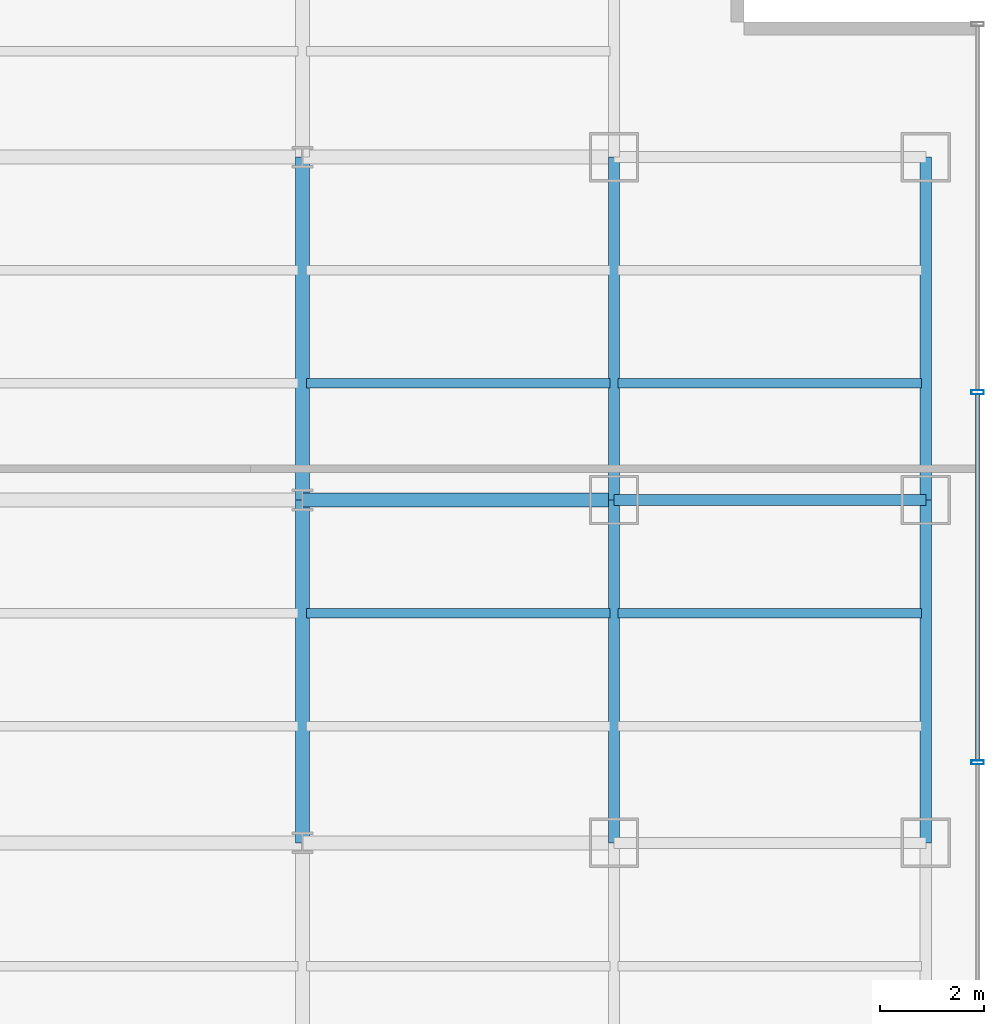
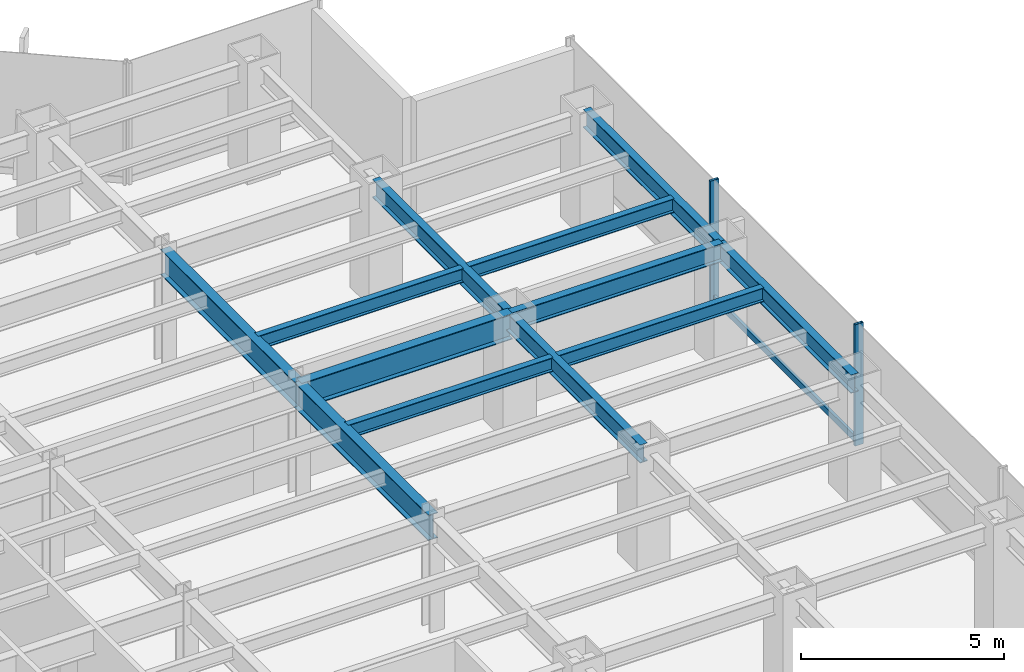
# One storey, part 9 of 23: 12 beams, 3 members, 1 element without a shape of its own.
"""IFC4 building model written with IfcOpenShell, lengths in metres."""

from ifc_helpers import new_model, si_unit, derived_unit, direction, frame, origin, origin_2d, place, context, subcontext, project, spatial, hollow_rectangle, i_section, extrude, source, transform, mapped, material, material_profile, profile_set, type_object, element, aggregate, save


model = new_model("IFC4")

# Units and contexts
model_context = context("Model", 3, precision=1e-05, world=origin(), true_north=direction((0.0, 1.0)))
body_context = subcontext(model_context, "Body", "Model", "MODEL_VIEW")
ifc_project = project(units=[si_unit("LENGTHUNIT", "METRE"), si_unit("AREAUNIT", "SQUARE_METRE"), si_unit("VOLUMEUNIT", "CUBIC_METRE"), si_unit("PLANEANGLEUNIT", "RADIAN"), si_unit("MASSUNIT", "GRAM", prefix="KILO"), derived_unit("THERMALTRANSMITTANCEUNIT", [(si_unit("POWERUNIT", "WATT"), 1), (si_unit("LENGTHUNIT", "METRE"), -2), (si_unit("THERMODYNAMICTEMPERATUREUNIT", "KELVIN"), -1)])], contexts=[model_context])

# Site, building, storey
site_placement = place(None, origin())
site = spatial("IfcSite", under=ifc_project, at=site_placement, CompositionType="ELEMENT")
building_placement = place(site_placement, origin())
building = spatial("IfcBuilding", under=site, at=building_placement, Name="Skarnbrae Concourse Arena and Tower", CompositionType="ELEMENT")
storey_placement = place(building_placement, frame((0.0, 0.0, 54.39990234375)))
storey = spatial("IfcBuildingStorey", under=building, at=storey_placement, Name="L12", CompositionType="ELEMENT", Elevation=54.39990234375)

# Beams
ifc_material_1 = material(Name="Steel CSA G40.21 350W", Category="steel")
ifc_material_profile_1 = material_profile(ifc_material_1, i_section(OverallWidth=0.214111328125, OverallDepth=0.549072265625, WebThickness=0.0146484375, FlangeThickness=0.023681640625, at=origin_2d()), Name="W530X138")
ifc_profile_set_1 = profile_set([ifc_material_profile_1], Name="Steel CSA G40.21 350W")
beam_type_1 = type_object("IfcBeamType", Name="BM-SPAN-W530X138", PredefinedType="SPANDREL", material=ifc_profile_set_1)
shared_shape_1 = source(origin(), body_context, "Body", "SweptSolid", [
    extrude(i_section(OverallWidth=0.214111328125, OverallDepth=0.549072265625, WebThickness=0.0146484375, FlangeThickness=0.023681640625, at=origin_2d()), origin(), (0.0, 0.0, 1.0), 6.0),
])
beam_1_placement = place(storey_placement, frame((55.0, 27.800048828125, 3.12548828125), z_axis=(1.0, 0.0, 0.0), x_axis=(0.0, 1.0, 0.0)))
element("IfcBeam", 1, at=beam_1_placement, inside=storey, type_object=beam_type_1, Name="L12 Perimeter spandrel Y27.8-9", PredefinedType="SPANDREL", context=body_context, shape_type="MappedRepresentation", body=[
    mapped(shared_shape_1, transform((0.0, 0.0, 0.0))),
])
ifc_material_profile_2 = material_profile(ifc_material_1, i_section(OverallWidth=0.26806640625, OverallDepth=0.77001953125, WebThickness=0.015625, FlangeThickness=0.025390625, at=origin_2d()), Name="W760X196")
ifc_profile_set_2 = profile_set([ifc_material_profile_2], Name="Steel CSA G40.21 350W")
beam_type_2 = type_object("IfcBeamType", Name="BM-GIRD-W760X196", PredefinedType="BEAM", material=ifc_profile_set_2)
shared_shape_2 = source(origin(), body_context, "Body", "SweptSolid", [
    extrude(i_section(OverallWidth=0.26806640625, OverallDepth=0.77001953125, WebThickness=0.015625, FlangeThickness=0.025390625, at=origin_2d()), origin(), (0.0, 0.0, 1.0), 6.60009765625),
])
beam_2_placement = place(storey_placement, frame((49.0, 21.199951171875, 3.01513671875), z_axis=(0.0, 1.0, 0.0), x_axis=(-1.0, 0.0, 0.0)))
element("IfcBeam", 2, at=beam_2_placement, inside=storey, type_object=beam_type_2, Name="L12 Primary N-S girder X49.0-3", PredefinedType="BEAM", context=body_context, shape_type="MappedRepresentation", body=[
    mapped(shared_shape_2, transform((0.0, 0.0, 0.0))),
])
shared_shape_3 = source(origin(), body_context, "Body", "SweptSolid", [
    extrude(i_section(OverallWidth=0.26806640625, OverallDepth=0.77001953125, WebThickness=0.015625, FlangeThickness=0.025390625, at=origin_2d()), origin(), (0.0, 0.0, 1.0), 6.0),
])
beam_3_placement = place(storey_placement, frame((49.0, 27.800048828125, 3.01513671875), z_axis=(1.0, 0.0, 0.0), x_axis=(0.0, 1.0, 0.0)))
element("IfcBeam", 3, at=beam_3_placement, inside=storey, type_object=beam_type_2, Name="L12 Primary E-W girder Y27.8-8", PredefinedType="BEAM", context=body_context, shape_type="MappedRepresentation", body=[
    mapped(shared_shape_3, transform((0.0, 0.0, 0.0))),
])
shared_shape_4 = source(origin(), body_context, "Body", "SweptSolid", [
    extrude(i_section(OverallWidth=0.214111328125, OverallDepth=0.549072265625, WebThickness=0.0146484375, FlangeThickness=0.023681640625, at=origin_2d()), origin(), (0.0, 0.0, 1.0), 6.60009765625),
])
for number, where, z_axis, x_axis, name in (
    (4, (55.0, 21.199951171875, 3.12548828125), (0.0, 1.0, 0.0), (-1.0, 0.0, 0.0), "L12 Perimeter spandrel X55.0-3"),
    (5, (61.0, 21.199951171875, 3.12548828125), (0.0, 1.0, 0.0), (-1.0, 0.0, 0.0), "L12 Perimeter spandrel X61.0-3"),
):
    element("IfcBeam", number, at=place(storey_placement, frame(where, z_axis=z_axis, x_axis=x_axis)), inside=storey, type_object=beam_type_1, Name=name, PredefinedType="SPANDREL", context=body_context, shape_type="MappedRepresentation", body=[
        mapped(shared_shape_4, transform((0.0, 0.0, 0.0))),
    ])
shared_shape_5 = source(origin(), body_context, "Body", "SweptSolid", [
    extrude(i_section(OverallWidth=0.214111328125, OverallDepth=0.549072265625, WebThickness=0.0146484375, FlangeThickness=0.023681640625, at=origin_2d()), origin(), (0.0, 0.0, 1.0), 6.599853515625),
])
for number, where, z_axis, x_axis, name in (
    (6, (55.0, 27.800048828125, 3.12548828125), (0.0, 1.0, 0.0), (-1.0, 0.0, 0.0), "L12 Perimeter spandrel X55.0-4"),
    (7, (61.0, 27.800048828125, 3.12548828125), (0.0, 1.0, 0.0), (-1.0, 0.0, 0.0), "L12 Perimeter spandrel X61.0-4"),
):
    element("IfcBeam", number, at=place(storey_placement, frame(where, z_axis=z_axis, x_axis=x_axis)), inside=storey, type_object=beam_type_1, Name=name, PredefinedType="SPANDREL", context=body_context, shape_type="MappedRepresentation", body=[
        mapped(shared_shape_5, transform((0.0, 0.0, 0.0))),
    ])
shared_shape_6 = source(origin(), body_context, "Body", "SweptSolid", [
    extrude(i_section(OverallWidth=0.26806640625, OverallDepth=0.77001953125, WebThickness=0.015625, FlangeThickness=0.025390625, at=origin_2d()), origin(), (0.0, 0.0, 1.0), 6.599853515625),
])
beam_4_placement = place(storey_placement, frame((49.0, 27.800048828125, 3.01513671875), z_axis=(0.0, 1.0, 0.0), x_axis=(-1.0, 0.0, 0.0)))
element("IfcBeam", 8, at=beam_4_placement, inside=storey, type_object=beam_type_2, Name="L12 Primary N-S girder X49.0-4", PredefinedType="BEAM", context=body_context, shape_type="MappedRepresentation", body=[
    mapped(shared_shape_6, transform((0.0, 0.0, 0.0))),
])
ifc_material_profile_3 = material_profile(ifc_material_1, i_section(OverallWidth=0.180908203125, OverallDepth=0.4169921875, WebThickness=0.010986328125, FlangeThickness=0.018310546875, at=origin_2d()), Name="W410X85")
ifc_profile_set_3 = profile_set([ifc_material_profile_3], Name="Steel CSA G40.21 350W")
beam_type_3 = type_object("IfcBeamType", Name="BM-JOIST-W410X85", PredefinedType="JOIST", material=ifc_profile_set_3)
shared_shape_7 = source(origin(), body_context, "Body", "SweptSolid", [
    extrude(i_section(OverallWidth=0.180908203125, OverallDepth=0.4169921875, WebThickness=0.010986328125, FlangeThickness=0.018310546875, at=origin_2d()), origin(), (0.0, 0.0, 1.0), 5.83984375),
])
for number, where, z_axis, x_axis, name in (
    (9, (49.080078125, 25.6220703125, 3.191650390625), (1.0, 0.0, 0.0), (0.0, 1.0, 0.0), "L12 Secondary floor joist 2.2.8"),
    (10, (55.080078125, 25.6220703125, 3.191650390625), (1.0, 0.0, 0.0), (0.0, 1.0, 0.0), "L12 Secondary floor joist 2.2.9"),
    (11, (49.080078125, 30.0439453125, 3.191650390625), (1.0, 0.0, 0.0), (0.0, 1.0, 0.0), "L12 Secondary floor joist 3.1.8"),
    (12, (55.080078125, 30.0439453125, 3.191650390625), (1.0, 0.0, 0.0), (0.0, 1.0, 0.0), "L12 Secondary floor joist 3.1.9"),
):
    element("IfcBeam", number, at=place(storey_placement, frame(where, z_axis=z_axis, x_axis=x_axis)), inside=storey, type_object=beam_type_3, Name=name, PredefinedType="JOIST", context=body_context, shape_type="MappedRepresentation", body=[
        mapped(shared_shape_7, transform((0.0, 0.0, 0.0))),
    ])

# Curtain wall, members
ifc_material_2 = material(Name="Bronze anodised aluminium 6063-T6", Category="aluminium")
curtain_wall_type = type_object("IfcCurtainWallType", Name="CW-SYS-02-LOWZONE", PredefinedType="USERDEFINED", material=ifc_material_2)
curtain_wall_placement = place(storey_placement, origin())
curtain_wall = element("IfcCurtainWall", 13, at=curtain_wall_placement, inside=storey, type_object=curtain_wall_type, Name="L12 Unitised curtain wall CW-L12-E04", ObjectType="UNITISED CURTAIN WALL", PredefinedType="USERDEFINED")
ifc_material_profile_4 = material_profile(ifc_material_2, hollow_rectangle(XDim=0.080078125, YDim=0.18994140625, WallThickness=0.0048828125, at=origin_2d()), Name="ALU-TRAN-80X190")
ifc_profile_set_4 = profile_set([ifc_material_profile_4], Name="Bronze anodised aluminium 6063-T6")
member_type_1 = type_object("IfcMemberType", Name="CWT-CW-02", PredefinedType="USERDEFINED", material=ifc_profile_set_4)
shared_shape_8 = source(origin(), body_context, "Body", "SweptSolid", [
    extrude(hollow_rectangle(XDim=0.080078125, YDim=0.18994140625, WallThickness=0.0048828125, at=origin_2d()), origin(), (0.0, 0.0, 1.0), 7.044921875),
])
member_1_placement = place(storey_placement, frame((62.0, 22.7900390625, 0.09521484375), z_axis=(0.0, 1.0, 0.0), x_axis=(-1.0, 0.0, 0.0)))
member_1 = element("IfcMember", 14, at=member_1_placement, type_object=member_type_1, Name="CW-L12-E04 Transom 3", ObjectType="TRANSOM", PredefinedType="USERDEFINED", context=body_context, shape_type="MappedRepresentation", body=[
    mapped(shared_shape_8, transform((0.0, 0.0, 0.0))),
])
ifc_material_profile_5 = material_profile(ifc_material_2, hollow_rectangle(XDim=0.080078125, YDim=0.239990234375, WallThickness=0.0048828125, at=origin_2d()), Name="ALU-MULL-80X240")
ifc_profile_set_5 = profile_set([ifc_material_profile_5], Name="Bronze anodised aluminium 6063-T6")
member_type_2 = type_object("IfcMemberType", Name="CWM-CW-02", PredefinedType="MULLION", material=ifc_profile_set_5)
shared_shape_9 = source(origin(), body_context, "Body", "SweptSolid", [
    extrude(hollow_rectangle(XDim=0.080078125, YDim=0.239990234375, WallThickness=0.0048828125, at=origin_2d()), origin(), (0.0, 0.0, 1.0), 3.650146484375),
])
member_2_placement = place(storey_placement, frame((62.0, 22.75, 0.0), z_axis=(0.0, 0.0, 1.0), x_axis=(0.0, 1.0, 0.0)))
member_2 = element("IfcMember", 15, at=member_2_placement, type_object=member_type_2, Name="CW-L12-E04 Mullion 3", PredefinedType="MULLION", context=body_context, shape_type="MappedRepresentation", body=[
    mapped(shared_shape_9, transform((0.0, 0.0, 0.0))),
])
member_3_placement = place(storey_placement, frame((62.0, 29.875, 0.0), z_axis=(0.0, 0.0, 1.0), x_axis=(0.0, 1.0, 0.0)))
member_3 = element("IfcMember", 16, at=member_3_placement, type_object=member_type_2, Name="CW-L12-E04 Mullion 4", PredefinedType="MULLION", context=body_context, shape_type="MappedRepresentation", body=[
    mapped(shared_shape_9, transform((0.0, 0.0, 0.0))),
])
aggregate(curtain_wall, [member_2, member_3, member_1])

save(model, "model.ifc")
